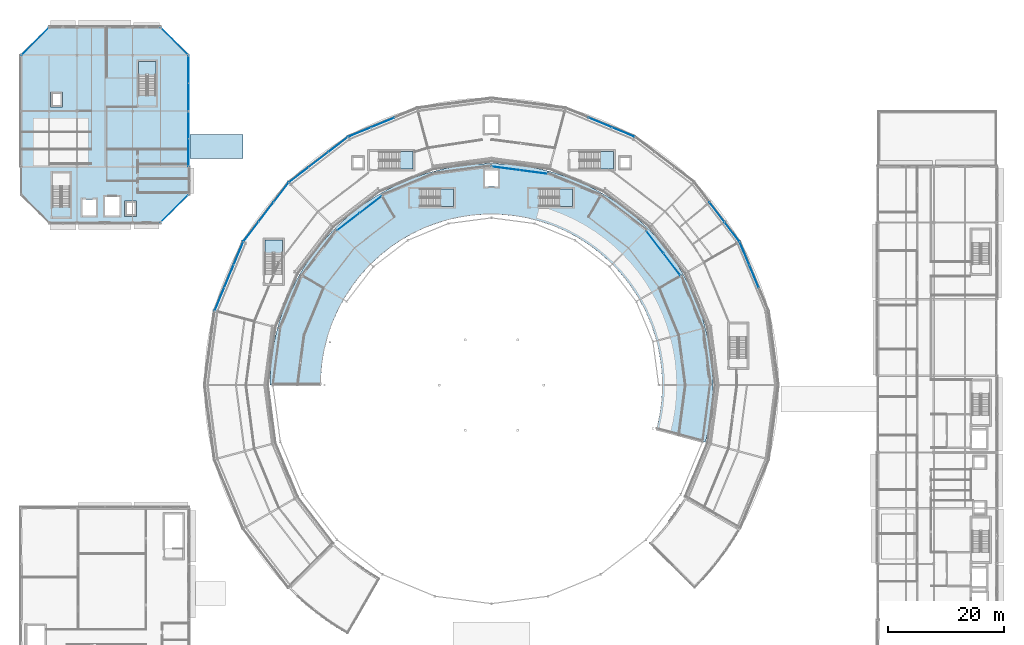
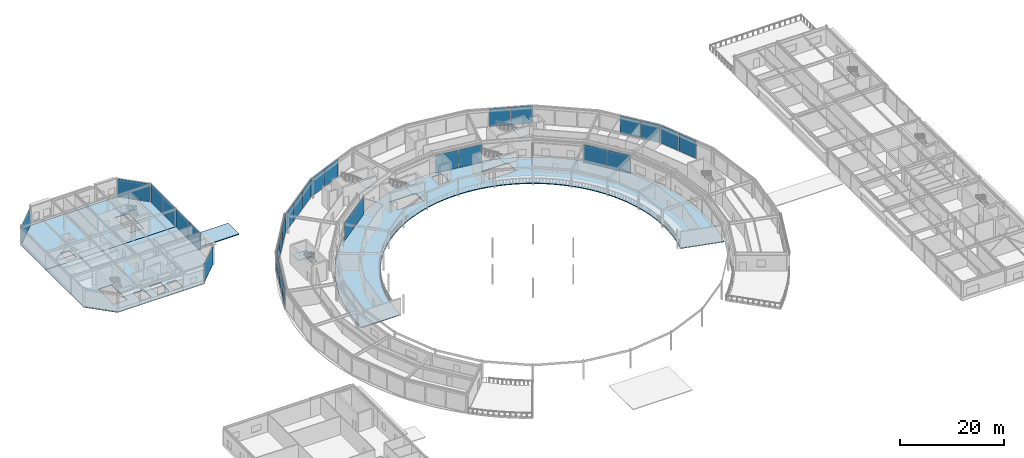
# One storey, part 96 of 133: 30 plates, 10 slabs, 21 elements without a shape of their own.
"""IFC4 building model written with IfcOpenShell, lengths in metres."""

from ifc_helpers import new_model, si_unit, direction, frame, origin, origin_2d, place, context, subcontext, project, spatial, polyline, rectangle, outline, extrude, material, layer, layer_set, type_object, element, aggregate, save


model = new_model("IFC4")

# Units and contexts
model_context = context("Model", 3, precision=1e-05, world=origin(), true_north=direction((0.0, 1.0)))
body_context = subcontext(model_context, "Body", "Model", "MODEL_VIEW")
ifc_project = project(units=[si_unit("LENGTHUNIT", "METRE"), si_unit("AREAUNIT", "SQUARE_METRE"), si_unit("VOLUMEUNIT", "CUBIC_METRE"), si_unit("PLANEANGLEUNIT", "RADIAN"), si_unit("MASSUNIT", "GRAM", prefix="KILO")], contexts=[model_context])

# Site, building, storey
site_placement = place(None, origin())
site = spatial("IfcSite", under=ifc_project, at=site_placement, CompositionType="ELEMENT")
building_placement = place(site_placement, origin())
building = spatial("IfcBuilding", under=site, at=building_placement, Name="Almandine Court Research Institute", CompositionType="ELEMENT")
storey_placement = place(building_placement, frame((0.0, 0.0, 9.800048828125)))
storey = spatial("IfcBuildingStorey", under=building, at=storey_placement, Name="L02", CompositionType="ELEMENT", Elevation=9.800048828125)

# Curtain wall, plate
ifc_material_1 = material(Name="Unitised Curtain Wall Framing and Solar Glazing", Category="glass")
curtain_wall_type_1 = type_object("IfcCurtainWallType", Name="CW-CWG-05", PredefinedType="USERDEFINED", material=ifc_material_1)
curtain_wall_1_placement = place(storey_placement, origin())
curtain_wall_1 = element("IfcCurtainWall", 1, at=curtain_wall_1_placement, inside=storey, type_object=curtain_wall_type_1, Name="L02 Cleanroom NW Chamfer Glazing", ObjectType="UNITISED GLAZING", PredefinedType="USERDEFINED")
ifc_material_2 = material(Name="Double-Glazed Low-E Argon Insulated Glass", Category="glass")
ifc_layer_1 = layer(ifc_material_2, 0.028076171875)
ifc_layer_set_1 = layer_set([ifc_layer_1], Name="Double-Glazed Low-E Argon Insulated Glass")
plate_type_1 = type_object("IfcPlateType", Name="CWPnl-GLZ-28", PredefinedType="CURTAIN_PANEL", material=ifc_layer_set_1)
plate_1_placement = place(storey_placement, frame((8.39990234375, 115.199951171875, 0.06005859375), z_axis=(0.0, 0.0, 1.0), x_axis=(0.707106781187, 0.707106781187, 0.0)))
plate_1 = element("IfcPlate", 2, at=plate_1_placement, type_object=plate_type_1, Name="CWG-05 panel 1.1", PredefinedType="CURTAIN_PANEL", context=body_context, shape_type="SweptSolid", body=[
    extrude(rectangle(XDim=6.656982421875, YDim=0.028076171875, at=origin_2d()), origin(), (0.0, 0.0, 1.0), 4.25),
])
aggregate(curtain_wall_1, [plate_1])

curtain_wall_2_placement = place(storey_placement, origin())
curtain_wall_2 = element("IfcCurtainWall", 3, at=curtain_wall_2_placement, inside=storey, type_object=curtain_wall_type_1, Name="L02 Cleanroom NE Chamfer Glazing", ObjectType="UNITISED GLAZING", PredefinedType="USERDEFINED")
plate_2_placement = place(storey_placement, frame((32.39990234375, 115.199951171875, 0.06005859375), z_axis=(0.0, 0.0, 1.0), x_axis=(0.707106781187, -0.707106781187, 0.0)))
plate_2 = element("IfcPlate", 4, at=plate_2_placement, type_object=plate_type_1, Name="CWG-05 panel 1.1", PredefinedType="CURTAIN_PANEL", context=body_context, shape_type="SweptSolid", body=[
    extrude(rectangle(XDim=6.656982421875, YDim=0.028076171875, at=origin_2d()), origin(), (0.0, 0.0, 1.0), 4.25),
])
aggregate(curtain_wall_2, [plate_2])

curtain_wall_3_placement = place(storey_placement, origin())
curtain_wall_3 = element("IfcCurtainWall", 5, at=curtain_wall_3_placement, inside=storey, type_object=curtain_wall_type_1, Name="L02 Cleanroom SE Chamfer Glazing", ObjectType="UNITISED GLAZING", PredefinedType="USERDEFINED")
plate_3_placement = place(storey_placement, frame((32.39990234375, 86.39990234375, 0.06005859375), z_axis=(0.0, 0.0, 1.0), x_axis=(-0.707106781187, -0.707106781187, 0.0)))
plate_3 = element("IfcPlate", 6, at=plate_3_placement, type_object=plate_type_1, Name="CWG-05 panel 1.1", PredefinedType="CURTAIN_PANEL", context=body_context, shape_type="SweptSolid", body=[
    extrude(rectangle(XDim=6.656982421875, YDim=0.028076171875, at=origin_2d()), origin(), (0.0, 0.0, 1.0), 4.25),
])
aggregate(curtain_wall_3, [plate_3])

# Curtain wall, plates
curtain_wall_type_2 = type_object("IfcCurtainWallType", Name="CW-CWG-20", PredefinedType="USERDEFINED", material=ifc_material_1)
curtain_wall_4_placement = place(storey_placement, origin())
curtain_wall_4 = element("IfcCurtainWall", 7, at=curtain_wall_4_placement, inside=storey, type_object=curtain_wall_type_2, Name="L02 Stacked-Ring Drum Outer Unitised Glazing 04", ObjectType="UNITISED GLAZING", PredefinedType="USERDEFINED")
plate_4_placement = place(storey_placement, frame((105.72802734375, 101.212890625, 0.06005859375), z_axis=(0.0, 0.0, 1.0), x_axis=(0.923888124321, -0.382662689242, 0.0)))
plate_4 = element("IfcPlate", 8, at=plate_4_placement, type_object=plate_type_1, Name="CWG-20 panel 2.1", PredefinedType="CURTAIN_PANEL", context=body_context, shape_type="SweptSolid", body=[
    extrude(rectangle(XDim=4.232666015625, YDim=0.028076171875, at=origin_2d()), origin(), (0.0, 0.0, 1.0), 4.25),
])
plate_5_placement = place(storey_placement, frame((109.68017578125, 99.576171875, 0.06005859375), z_axis=(0.0, 0.0, 1.0), x_axis=(0.923888124321, -0.382662689242, 0.0)))
plate_5 = element("IfcPlate", 9, at=plate_5_placement, type_object=plate_type_1, Name="CWG-20 panel 3.1", PredefinedType="CURTAIN_PANEL", context=body_context, shape_type="SweptSolid", body=[
    extrude(rectangle(XDim=4.20263671875, YDim=0.028076171875, at=origin_2d()), origin(), (0.0, 0.0, 1.0), 4.25),
])
aggregate(curtain_wall_4, [plate_4, plate_5])

curtain_wall_5_placement = place(storey_placement, origin())
curtain_wall_5 = element("IfcCurtainWall", 10, at=curtain_wall_5_placement, inside=storey, type_object=curtain_wall_type_2, Name="L02 Stacked-Ring Drum Outer Unitised Glazing 07", ObjectType="UNITISED GLAZING", PredefinedType="USERDEFINED")
plate_6_placement = place(storey_placement, frame((64.31982421875, 99.576171875, 0.06005859375), z_axis=(0.0, 0.0, 1.0), x_axis=(0.923888124321, 0.382662689242, 0.0)))
plate_6 = element("IfcPlate", 11, at=plate_6_placement, type_object=plate_type_1, Name="CWG-20 panel 1.1", PredefinedType="CURTAIN_PANEL", context=body_context, shape_type="SweptSolid", body=[
    extrude(rectangle(XDim=4.20263671875, YDim=0.028076171875, at=origin_2d()), origin(), (0.0, 0.0, 1.0), 4.25),
])
plate_7_placement = place(storey_placement, frame((68.27197265625, 101.212890625, 0.06005859375), z_axis=(0.0, 0.0, 1.0), x_axis=(0.923888124321, 0.382662689242, 0.0)))
plate_7 = element("IfcPlate", 12, at=plate_7_placement, type_object=plate_type_1, Name="CWG-20 panel 2.1", PredefinedType="CURTAIN_PANEL", context=body_context, shape_type="SweptSolid", body=[
    extrude(rectangle(XDim=4.232666015625, YDim=0.028076171875, at=origin_2d()), origin(), (0.0, 0.0, 1.0), 4.25),
])
aggregate(curtain_wall_5, [plate_6, plate_7])

curtain_wall_type_3 = type_object("IfcCurtainWallType", Name="CW-CWG-24", PredefinedType="USERDEFINED", material=ifc_material_1)
curtain_wall_6_placement = place(storey_placement, origin())
curtain_wall_6 = element("IfcCurtainWall", 13, at=curtain_wall_6_placement, inside=storey, type_object=curtain_wall_type_3, Name="L02 Interaction Atrium Perimeter Curtain Wall 02", ObjectType="UNITISED GLAZING", PredefinedType="USERDEFINED")
plate_8_placement = place(storey_placement, frame((115.12890625, 80.66015625, 0.06005859375), z_axis=(0.0, 0.0, 1.0), x_axis=(0.608760667029, -0.793353924979, 0.0)))
plate_8 = element("IfcPlate", 14, at=plate_8_placement, type_object=plate_type_1, Name="CWG-24 panel 1.1", PredefinedType="CURTAIN_PANEL", context=body_context, shape_type="SweptSolid", body=[
    extrude(rectangle(XDim=4.82080078125, YDim=0.028076171875, at=origin_2d()), origin(), (0.0, 0.0, 1.0), 4.25),
])
plate_9_placement = place(storey_placement, frame((118.10009765625, 76.787841796875, 0.06005859375), z_axis=(0.0, 0.0, 1.0), x_axis=(0.608760667029, -0.793353924979, 0.0)))
plate_9 = element("IfcPlate", 15, at=plate_9_placement, type_object=plate_type_1, Name="CWG-24 panel 2.1", PredefinedType="CURTAIN_PANEL", context=body_context, shape_type="SweptSolid", body=[
    extrude(rectangle(XDim=4.82080078125, YDim=0.028076171875, at=origin_2d()), origin(), (0.0, 0.0, 1.0), 4.25),
])
aggregate(curtain_wall_6, [plate_8, plate_9])

curtain_wall_7_placement = place(storey_placement, origin())
curtain_wall_7 = element("IfcCurtainWall", 16, at=curtain_wall_7_placement, inside=storey, type_object=curtain_wall_type_3, Name="L02 Interaction Atrium Perimeter Curtain Wall 05", ObjectType="UNITISED GLAZING", PredefinedType="USERDEFINED")
plate_10_placement = place(storey_placement, frame((89.453125, 93.32763671875, 0.06005859375), z_axis=(0.0, 0.0, 1.0), x_axis=(0.991443548509, -0.130536164028, 0.0)))
plate_10 = element("IfcPlate", 17, at=plate_10_placement, type_object=plate_type_1, Name="CWG-24 panel 1.1", PredefinedType="CURTAIN_PANEL", context=body_context, shape_type="SweptSolid", body=[
    extrude(rectangle(XDim=4.820556640625, YDim=0.028076171875, at=origin_2d()), origin(), (0.0, 0.0, 1.0), 4.25),
])
plate_11_placement = place(storey_placement, frame((94.2919921875, 92.6904296875, 0.06005859375), z_axis=(0.0, 0.0, 1.0), x_axis=(0.991443548509, -0.130536164028, 0.0)))
plate_11 = element("IfcPlate", 18, at=plate_11_placement, type_object=plate_type_1, Name="CWG-24 panel 2.1", PredefinedType="CURTAIN_PANEL", context=body_context, shape_type="SweptSolid", body=[
    extrude(rectangle(XDim=4.820556640625, YDim=0.028076171875, at=origin_2d()), origin(), (0.0, 0.0, 1.0), 4.25),
])
aggregate(curtain_wall_7, [plate_10, plate_11])

curtain_wall_8_placement = place(storey_placement, origin())
curtain_wall_8 = element("IfcCurtainWall", 19, at=curtain_wall_8_placement, inside=storey, type_object=curtain_wall_type_3, Name="L02 Interaction Atrium Perimeter Curtain Wall 08", ObjectType="UNITISED GLAZING", PredefinedType="USERDEFINED")
plate_12_placement = place(storey_placement, frame((62.33984375, 84.12890625, 0.06005859375), z_axis=(0.0, 0.0, 1.0), x_axis=(0.793353924979, 0.608760667029, 0.0)))
plate_12 = element("IfcPlate", 20, at=plate_12_placement, type_object=plate_type_1, Name="CWG-24 panel 1.1", PredefinedType="CURTAIN_PANEL", context=body_context, shape_type="SweptSolid", body=[
    extrude(rectangle(XDim=4.82080078125, YDim=0.028076171875, at=origin_2d()), origin(), (0.0, 0.0, 1.0), 4.25),
])
plate_13_placement = place(storey_placement, frame((66.212158203125, 87.10009765625, 0.06005859375), z_axis=(0.0, 0.0, 1.0), x_axis=(0.793353924979, 0.608760667029, 0.0)))
plate_13 = element("IfcPlate", 21, at=plate_13_placement, type_object=plate_type_1, Name="CWG-24 panel 2.1", PredefinedType="CURTAIN_PANEL", context=body_context, shape_type="SweptSolid", body=[
    extrude(rectangle(XDim=4.82080078125, YDim=0.028076171875, at=origin_2d()), origin(), (0.0, 0.0, 1.0), 4.25),
])
aggregate(curtain_wall_8, [plate_12, plate_13])

curtain_wall_type_4 = type_object("IfcCurtainWallType", Name="CW-CWJ-02", PredefinedType="USERDEFINED", material=ifc_material_1)
curtain_wall_9_placement = place(storey_placement, origin())
curtain_wall_9 = element("IfcCurtainWall", 22, at=curtain_wall_9_placement, inside=storey, type_object=curtain_wall_type_4, Name="L02 Cleanroom East Courtyard Jali Screen 2", ObjectType="SOLAR JALI SCREEN", PredefinedType="USERDEFINED")
ifc_material_3 = material(Name="Perforated Ochre Terracotta Jali Solar Cassette", Category="masonry")
ifc_layer_2 = layer(ifc_material_3, 0.035888671875)
ifc_layer_set_2 = layer_set([ifc_layer_2], Name="Perforated Ochre Terracotta Jali Solar Cassette")
plate_type_2 = type_object("IfcPlateType", Name="CWPnl-JALI-36", PredefinedType="CURTAIN_PANEL", material=ifc_layer_set_2)
plate_14_placement = place(storey_placement, frame((34.800048828125, 100.78173828125, 0.06494140625), z_axis=(0.0, 0.0, 1.0), x_axis=(0.0, -1.0, 0.0)))
plate_14 = element("IfcPlate", 23, at=plate_14_placement, type_object=plate_type_2, Name="CWJ-02 panel 1.1", PredefinedType="CURTAIN_PANEL", context=body_context, shape_type="SweptSolid", body=[
    extrude(rectangle(XDim=4.698486328125, YDim=0.035888671875, at=origin_2d()), origin(), (0.0, 0.0, 1.0), 4.239990234375),
])
plate_15_placement = place(storey_placement, frame((34.800048828125, 96.018310546875, 0.06494140625), z_axis=(0.0, 0.0, 1.0), x_axis=(0.0, -1.0, 0.0)))
plate_15 = element("IfcPlate", 24, at=plate_15_placement, type_object=plate_type_2, Name="CWJ-02 panel 2.1", PredefinedType="CURTAIN_PANEL", context=body_context, shape_type="SweptSolid", body=[
    extrude(rectangle(XDim=4.698486328125, YDim=0.035888671875, at=origin_2d()), origin(), (0.0, 0.0, 1.0), 4.239990234375),
])
aggregate(curtain_wall_9, [plate_14, plate_15])

curtain_wall_10_placement = place(storey_placement, origin())
curtain_wall_10 = element("IfcCurtainWall", 25, at=curtain_wall_10_placement, inside=storey, type_object=curtain_wall_type_4, Name="L02 Cleanroom East Courtyard Jali Screen 3", ObjectType="SOLAR JALI SCREEN", PredefinedType="USERDEFINED")
plate_16_placement = place(storey_placement, frame((34.800048828125, 110.3818359375, 0.06494140625), z_axis=(0.0, 0.0, 1.0), x_axis=(0.0, -1.0, 0.0)))
plate_16 = element("IfcPlate", 26, at=plate_16_placement, type_object=plate_type_2, Name="CWJ-02 panel 1.1", PredefinedType="CURTAIN_PANEL", context=body_context, shape_type="SweptSolid", body=[
    extrude(rectangle(XDim=4.698486328125, YDim=0.035888671875, at=origin_2d()), origin(), (0.0, 0.0, 1.0), 4.239990234375),
])
plate_17_placement = place(storey_placement, frame((34.800048828125, 105.6181640625, 0.06494140625), z_axis=(0.0, 0.0, 1.0), x_axis=(0.0, -1.0, 0.0)))
plate_17 = element("IfcPlate", 27, at=plate_17_placement, type_object=plate_type_2, Name="CWJ-02 panel 2.1", PredefinedType="CURTAIN_PANEL", context=body_context, shape_type="SweptSolid", body=[
    extrude(rectangle(XDim=4.698486328125, YDim=0.035888671875, at=origin_2d()), origin(), (0.0, 0.0, 1.0), 4.239990234375),
])
aggregate(curtain_wall_10, [plate_16, plate_17])

curtain_wall_type_5 = type_object("IfcCurtainWallType", Name="CW-CWJ-19", PredefinedType="USERDEFINED", material=ifc_material_1)
curtain_wall_11_placement = place(storey_placement, origin())
curtain_wall_11 = element("IfcCurtainWall", 28, at=curtain_wall_11_placement, inside=storey, type_object=curtain_wall_type_5, Name="L02 Stacked-Ring Drum Outer Solar Jali Screen 01", ObjectType="SOLAR JALI SCREEN", PredefinedType="USERDEFINED")
plate_18_placement = place(storey_placement, frame((130.57666015625, 78.678955078125, 0.06494140625), z_axis=(0.0, 0.0, 1.0), x_axis=(0.382662689242, -0.923888124321, 0.0)))
plate_18 = element("IfcPlate", 29, at=plate_18_placement, type_object=plate_type_2, Name="CWJ-19 panel 1.1", PredefinedType="CURTAIN_PANEL", context=body_context, shape_type="SweptSolid", body=[
    extrude(rectangle(XDim=4.1953125, YDim=0.035888671875, at=origin_2d()), origin(), (0.0, 0.0, 1.0), 4.239990234375),
])
plate_19_placement = place(storey_placement, frame((132.212890625, 74.72802734375, 0.06494140625), z_axis=(0.0, 0.0, 1.0), x_axis=(0.382662689242, -0.923888124321, 0.0)))
plate_19 = element("IfcPlate", 30, at=plate_19_placement, type_object=plate_type_2, Name="CWJ-19 panel 2.1", PredefinedType="CURTAIN_PANEL", context=body_context, shape_type="SweptSolid", body=[
    extrude(rectangle(XDim=4.227783203125, YDim=0.035888671875, at=origin_2d()), origin(), (0.0, 0.0, 1.0), 4.239990234375),
])
aggregate(curtain_wall_11, [plate_18, plate_19])

curtain_wall_12_placement = place(storey_placement, origin())
curtain_wall_12 = element("IfcCurtainWall", 31, at=curtain_wall_12_placement, inside=storey, type_object=curtain_wall_type_5, Name="L02 Stacked-Ring Drum Outer Solar Jali Screen 02", ObjectType="SOLAR JALI SCREEN", PredefinedType="USERDEFINED")
plate_20_placement = place(storey_placement, frame((125.825439453125, 85.79150390625, 0.06494140625), z_axis=(0.0, 0.0, 1.0), x_axis=(0.608723313303, -0.793382586046, 0.0)))
plate_20 = element("IfcPlate", 32, at=plate_20_placement, type_object=plate_type_2, Name="CWJ-19 panel 2.1", PredefinedType="CURTAIN_PANEL", context=body_context, shape_type="SweptSolid", body=[
    extrude(rectangle(XDim=4.2275390625, YDim=0.035888671875, at=origin_2d()), origin(), (0.0, 0.0, 1.0), 4.239990234375),
])
plate_21_placement = place(storey_placement, frame((128.4287109375, 82.398681640625, 0.06494140625), z_axis=(0.0, 0.0, 1.0), x_axis=(0.608723313303, -0.793382586046, 0.0)))
plate_21 = element("IfcPlate", 33, at=plate_21_placement, type_object=plate_type_2, Name="CWJ-19 panel 3.1", PredefinedType="CURTAIN_PANEL", context=body_context, shape_type="SweptSolid", body=[
    extrude(rectangle(XDim=4.195068359375, YDim=0.035888671875, at=origin_2d()), origin(), (0.0, 0.0, 1.0), 4.239990234375),
])
aggregate(curtain_wall_12, [plate_20, plate_21])

curtain_wall_13_placement = place(storey_placement, origin())
curtain_wall_13 = element("IfcCurtainWall", 34, at=curtain_wall_13_placement, inside=storey, type_object=curtain_wall_type_5, Name="L02 Stacked-Ring Drum Outer Solar Jali Screen 08", ObjectType="SOLAR JALI SCREEN", PredefinedType="USERDEFINED")
plate_22_placement = place(storey_placement, frame((53.815673828125, 92.222412109375, 0.06494140625), z_axis=(0.0, 0.0, 1.0), x_axis=(0.793382586046, 0.608723313303, 0.0)))
plate_22 = element("IfcPlate", 35, at=plate_22_placement, type_object=plate_type_2, Name="CWJ-19 panel 1.1", PredefinedType="CURTAIN_PANEL", context=body_context, shape_type="SweptSolid", body=[
    extrude(rectangle(XDim=4.195068359375, YDim=0.035888671875, at=origin_2d()), origin(), (0.0, 0.0, 1.0), 4.239990234375),
])
plate_23_placement = place(storey_placement, frame((57.20849609375, 94.825439453125, 0.06494140625), z_axis=(0.0, 0.0, 1.0), x_axis=(0.793382586046, 0.608723313303, 0.0)))
plate_23 = element("IfcPlate", 36, at=plate_23_placement, type_object=plate_type_2, Name="CWJ-19 panel 2.1", PredefinedType="CURTAIN_PANEL", context=body_context, shape_type="SweptSolid", body=[
    extrude(rectangle(XDim=4.2275390625, YDim=0.035888671875, at=origin_2d()), origin(), (0.0, 0.0, 1.0), 4.239990234375),
])
plate_24_placement = place(storey_placement, frame((60.601318359375, 97.4287109375, 0.06494140625), z_axis=(0.0, 0.0, 1.0), x_axis=(0.793382586046, 0.608723313303, 0.0)))
plate_24 = element("IfcPlate", 37, at=plate_24_placement, type_object=plate_type_2, Name="CWJ-19 panel 3.1", PredefinedType="CURTAIN_PANEL", context=body_context, shape_type="SweptSolid", body=[
    extrude(rectangle(XDim=4.195068359375, YDim=0.035888671875, at=origin_2d()), origin(), (0.0, 0.0, 1.0), 4.239990234375),
])
aggregate(curtain_wall_13, [plate_22, plate_23, plate_24])

curtain_wall_14_placement = place(storey_placement, origin())
curtain_wall_14 = element("IfcCurtainWall", 38, at=curtain_wall_14_placement, inside=storey, type_object=curtain_wall_type_5, Name="L02 Stacked-Ring Drum Outer Solar Jali Screen 09", ObjectType="SOLAR JALI SCREEN", PredefinedType="USERDEFINED")
plate_25_placement = place(storey_placement, frame((45.5712890625, 82.398681640625, 0.06494140625), z_axis=(0.0, 0.0, 1.0), x_axis=(0.608723313303, 0.793382586046, 0.0)))
plate_25 = element("IfcPlate", 39, at=plate_25_placement, type_object=plate_type_2, Name="CWJ-19 panel 1.1", PredefinedType="CURTAIN_PANEL", context=body_context, shape_type="SweptSolid", body=[
    extrude(rectangle(XDim=4.195068359375, YDim=0.035888671875, at=origin_2d()), origin(), (0.0, 0.0, 1.0), 4.239990234375),
])
plate_26_placement = place(storey_placement, frame((48.174560546875, 85.79150390625, 0.06494140625), z_axis=(0.0, 0.0, 1.0), x_axis=(0.608723313303, 0.793382586046, 0.0)))
plate_26 = element("IfcPlate", 40, at=plate_26_placement, type_object=plate_type_2, Name="CWJ-19 panel 2.1", PredefinedType="CURTAIN_PANEL", context=body_context, shape_type="SweptSolid", body=[
    extrude(rectangle(XDim=4.2275390625, YDim=0.035888671875, at=origin_2d()), origin(), (0.0, 0.0, 1.0), 4.239990234375),
])
plate_27_placement = place(storey_placement, frame((50.777587890625, 89.184326171875, 0.06494140625), z_axis=(0.0, 0.0, 1.0), x_axis=(0.608723313303, 0.793382586046, 0.0)))
plate_27 = element("IfcPlate", 41, at=plate_27_placement, type_object=plate_type_2, Name="CWJ-19 panel 3.1", PredefinedType="CURTAIN_PANEL", context=body_context, shape_type="SweptSolid", body=[
    extrude(rectangle(XDim=4.195068359375, YDim=0.035888671875, at=origin_2d()), origin(), (0.0, 0.0, 1.0), 4.239990234375),
])
aggregate(curtain_wall_14, [plate_25, plate_26, plate_27])

curtain_wall_15_placement = place(storey_placement, origin())
curtain_wall_15 = element("IfcCurtainWall", 42, at=curtain_wall_15_placement, inside=storey, type_object=curtain_wall_type_5, Name="L02 Stacked-Ring Drum Outer Solar Jali Screen 10", ObjectType="SOLAR JALI SCREEN", PredefinedType="USERDEFINED")
plate_28_placement = place(storey_placement, frame((40.150634765625, 70.777099609375, 0.06494140625), z_axis=(0.0, 0.0, 1.0), x_axis=(0.382662689242, 0.923888124321, 0.0)))
plate_28 = element("IfcPlate", 43, at=plate_28_placement, type_object=plate_type_2, Name="CWJ-19 panel 1.1", PredefinedType="CURTAIN_PANEL", context=body_context, shape_type="SweptSolid", body=[
    extrude(rectangle(XDim=4.1953125, YDim=0.035888671875, at=origin_2d()), origin(), (0.0, 0.0, 1.0), 4.239990234375),
])
plate_29_placement = place(storey_placement, frame((41.787109375, 74.72802734375, 0.06494140625), z_axis=(0.0, 0.0, 1.0), x_axis=(0.382662689242, 0.923888124321, 0.0)))
plate_29 = element("IfcPlate", 44, at=plate_29_placement, type_object=plate_type_2, Name="CWJ-19 panel 2.1", PredefinedType="CURTAIN_PANEL", context=body_context, shape_type="SweptSolid", body=[
    extrude(rectangle(XDim=4.227783203125, YDim=0.035888671875, at=origin_2d()), origin(), (0.0, 0.0, 1.0), 4.239990234375),
])
plate_30_placement = place(storey_placement, frame((43.42333984375, 78.678955078125, 0.06494140625), z_axis=(0.0, 0.0, 1.0), x_axis=(0.382662689242, 0.923888124321, 0.0)))
plate_30 = element("IfcPlate", 45, at=plate_30_placement, type_object=plate_type_2, Name="CWJ-19 panel 3.1", PredefinedType="CURTAIN_PANEL", context=body_context, shape_type="SweptSolid", body=[
    extrude(rectangle(XDim=4.1953125, YDim=0.035888671875, at=origin_2d()), origin(), (0.0, 0.0, 1.0), 4.239990234375),
])
aggregate(curtain_wall_15, [plate_28, plate_29, plate_30])

# Slabs
ifc_material_4 = material(Name="Concrete C35/45", Category="concrete")
ifc_layer_3 = layer(ifc_material_4, 0.179931640625)
ifc_layer_set_3 = layer_set([ifc_layer_3], Name="Concrete C35/45")
slab_type_1 = type_object("IfcSlabType", Name="Slab-FLR-180", PredefinedType="FLOOR", material=ifc_layer_set_3)
slab_1_placement = place(storey_placement, frame((0.0, 0.0, -0.179931640625)))
element("IfcSlab", 46, at=slab_1_placement, inside=storey, type_object=slab_type_1, Name="L02 Volume 3 Cleanroom Pavilion Floor Slab -S", PredefinedType="FLOOR", context=body_context, shape_type="SweptSolid", body=[
    extrude(outline(polyline([(10.800048828125, 84.0), (30.0, 84.0), (34.800048828125, 88.800048828125), (34.800048828125, 103.199951171875), (6.0, 103.199951171875), (6.0, 88.800048828125), (10.800048828125, 84.0)]), holes=[polyline([(14.39990234375, 86.64990234375), (14.39990234375, 92.5), (11.39990234375, 92.5), (11.39990234375, 86.64990234375), (14.39990234375, 86.64990234375)]), polyline([(16.60009765625, 85.199951171875), (18.89990234375, 85.199951171875), (18.89990234375, 88.0), (16.60009765625, 88.0), (16.60009765625, 85.199951171875)]), polyline([(20.39990234375, 85.199951171875), (22.89990234375, 85.199951171875), (22.89990234375, 88.39990234375), (20.39990234375, 88.39990234375), (20.39990234375, 85.199951171875)]), polyline([(23.830078125, 85.080078125), (25.8701171875, 85.080078125), (25.8701171875, 87.719970703125), (23.830078125, 87.719970703125), (23.830078125, 85.080078125)])]), origin(), (0.0, 0.0, 1.0), 0.179931640625),
])
slab_2_placement = place(storey_placement, frame((0.0, 0.0, -0.179931640625)))
element("IfcSlab", 47, at=slab_2_placement, inside=storey, type_object=slab_type_1, Name="L02 Volume 3 Cleanroom Pavilion Floor Slab -N", PredefinedType="FLOOR", context=body_context, shape_type="SweptSolid", body=[
    extrude(outline(polyline([(6.0, 103.199951171875), (34.800048828125, 103.199951171875), (34.800048828125, 112.800048828125), (30.0, 117.60009765625), (10.800048828125, 117.60009765625), (6.0, 112.800048828125), (6.0, 103.199951171875)]), holes=[polyline([(29.199951171875, 105.85009765625), (29.199951171875, 111.699951171875), (26.199951171875, 111.699951171875), (26.199951171875, 105.85009765625), (29.199951171875, 105.85009765625)]), polyline([(11.080078125, 103.8798828125), (13.1201171875, 103.8798828125), (13.1201171875, 106.52001953125), (11.080078125, 106.52001953125), (11.080078125, 103.8798828125)])]), origin(), (0.0, 0.0, 1.0), 0.179931640625),
])
slab_3_placement = place(storey_placement, frame((0.0, 0.0, -0.179931640625)))
element("IfcSlab", 48, at=slab_3_placement, inside=storey, type_object=slab_type_1, Name="L02 Interaction Atrium Terraced Collaboration Gallery Slab", PredefinedType="FLOOR", context=body_context, shape_type="SweptSolid", body=[
    extrude(outline(polyline([(123.85009765625, 46.1259765625), (124.24609375, 47.742919921875), (124.570068359375, 49.375), (124.823974609375, 51.02001953125), (125.0048828125, 52.675048828125), (125.114013671875, 54.3359375), (125.14990234375, 56.0), (125.114013671875, 57.6640625), (125.0048828125, 59.324951171875), (124.823974609375, 60.97998046875), (124.570068359375, 62.625), (124.24609375, 64.257080078125), (123.85009765625, 65.8740234375), (123.384033203125, 67.471923828125), (122.84912109375, 69.048095703125), (122.24609375, 70.59912109375), (121.575927734375, 72.123046875), (120.839111328125, 73.615966796875), (120.0390625, 75.074951171875), (119.175048828125, 76.498046875), (118.2509765625, 77.882080078125), (117.26611328125, 79.22412109375), (116.22509765625, 80.52197265625), (115.126953125, 81.77392578125), (113.97607421875, 82.97607421875), (112.77392578125, 84.126953125), (111.52197265625, 85.22509765625), (110.22412109375, 86.26611328125), (108.882080078125, 87.2509765625), (107.498046875, 88.175048828125), (106.074951171875, 89.0390625), (104.615966796875, 89.839111328125), (103.123046875, 90.575927734375), (101.59912109375, 91.24609375), (100.048095703125, 91.84912109375), (98.471923828125, 92.384033203125), (96.8740234375, 92.85009765625), (95.257080078125, 93.24609375), (93.625, 93.570068359375), (91.97998046875, 93.823974609375), (90.324951171875, 94.0048828125), (88.6640625, 94.114013671875), (87.0, 94.14990234375), (85.3359375, 94.114013671875), (83.675048828125, 94.0048828125), (82.02001953125, 93.823974609375), (80.375, 93.570068359375), (78.742919921875, 93.24609375), (77.1259765625, 92.85009765625), (75.528076171875, 92.384033203125), (73.951904296875, 91.84912109375), (72.40087890625, 91.24609375), (70.876953125, 90.575927734375), (69.384033203125, 89.839111328125), (67.925048828125, 89.0390625), (66.501953125, 88.175048828125), (65.117919921875, 87.2509765625), (63.77587890625, 86.26611328125), (62.47802734375, 85.22509765625), (61.22607421875, 84.126953125), (60.02392578125, 82.97607421875), (58.873046875, 81.77392578125), (57.77490234375, 80.52197265625), (56.73388671875, 79.22412109375), (55.7490234375, 77.882080078125), (54.824951171875, 76.498046875), (53.9609375, 75.074951171875), (53.160888671875, 73.615966796875), (52.424072265625, 72.123046875), (51.75390625, 70.59912109375), (51.15087890625, 69.048095703125), (50.615966796875, 67.471923828125), (50.14990234375, 65.8740234375), (49.75390625, 64.257080078125), (49.429931640625, 62.625), (49.176025390625, 60.97998046875), (48.9951171875, 59.324951171875), (48.885986328125, 57.6640625), (48.85009765625, 56.0), (57.60009765625, 56.0), (57.6279296875, 57.281982421875), (57.7119140625, 58.56201171875), (57.85205078125, 59.8369140625), (58.047119140625, 61.10498046875), (58.297119140625, 62.363037109375), (58.60205078125, 63.60888671875), (58.9609375, 64.841064453125), (59.373046875, 66.054931640625), (59.837890625, 67.2509765625), (60.35498046875, 68.425048828125), (60.922119140625, 69.574951171875), (61.5390625, 70.699951171875), (62.2041015625, 71.797119140625), (62.9169921875, 72.863037109375), (63.675048828125, 73.89794921875), (64.47802734375, 74.89794921875), (65.323974609375, 75.862060546875), (66.2109375, 76.7890625), (67.137939453125, 77.676025390625), (68.10205078125, 78.52197265625), (69.10205078125, 79.324951171875), (70.136962890625, 80.0830078125), (71.202880859375, 80.7958984375), (72.300048828125, 81.4609375), (73.425048828125, 82.077880859375), (74.574951171875, 82.64501953125), (75.7490234375, 83.162109375), (76.945068359375, 83.626953125), (78.158935546875, 84.0390625), (79.39111328125, 84.39794921875), (80.636962890625, 84.702880859375), (81.89501953125, 84.952880859375), (83.1630859375, 85.14794921875), (84.43798828125, 85.2880859375), (85.718017578125, 85.3720703125), (87.0, 85.39990234375), (88.281982421875, 85.3720703125), (89.56201171875, 85.2880859375), (90.8369140625, 85.14794921875), (92.10498046875, 84.952880859375), (93.363037109375, 84.702880859375), (94.60888671875, 84.39794921875), (95.841064453125, 84.0390625), (97.054931640625, 83.626953125), (98.2509765625, 83.162109375), (99.425048828125, 82.64501953125), (100.574951171875, 82.077880859375), (101.699951171875, 81.4609375), (102.797119140625, 80.7958984375), (103.863037109375, 80.0830078125), (104.89794921875, 79.324951171875), (105.89794921875, 78.52197265625), (106.862060546875, 77.676025390625), (107.7890625, 76.7890625), (108.676025390625, 75.862060546875), (109.52197265625, 74.89794921875), (110.324951171875, 73.89794921875), (111.0830078125, 72.863037109375), (111.7958984375, 71.797119140625), (112.4609375, 70.699951171875), (113.077880859375, 69.574951171875), (113.64501953125, 68.425048828125), (114.162109375, 67.2509765625), (114.626953125, 66.054931640625), (115.0390625, 64.841064453125), (115.39794921875, 63.60888671875), (115.702880859375, 62.363037109375), (115.952880859375, 61.10498046875), (116.14794921875, 59.8369140625), (116.2880859375, 58.56201171875), (116.3720703125, 57.281982421875), (116.39990234375, 56.0), (116.3720703125, 54.718017578125), (116.2880859375, 53.43798828125), (116.14794921875, 52.1630859375), (115.952880859375, 50.89501953125), (115.702880859375, 49.636962890625), (115.39794921875, 48.39111328125), (123.85009765625, 46.1259765625)]), holes=[polyline([(95.14990234375, 86.800048828125), (101.0, 86.800048828125), (101.0, 89.800048828125), (95.14990234375, 89.800048828125), (95.14990234375, 86.800048828125)]), polyline([(74.64990234375, 86.800048828125), (80.5, 86.800048828125), (80.5, 89.800048828125), (74.64990234375, 89.800048828125), (74.64990234375, 86.800048828125)]), polyline([(85.85009765625, 90.199951171875), (88.14990234375, 90.199951171875), (88.14990234375, 93.0), (85.85009765625, 93.0), (85.85009765625, 90.199951171875)])]), origin(), (0.0, 0.0, 1.0), 0.179931640625),
])

# Stair, slab
stair_type = type_object("IfcStairType", Name="Stair-Core-26R", PredefinedType="HALF_TURN_STAIR", material=ifc_material_4)
stair_1_placement = place(storey_placement, origin())
stair_1 = element("IfcStair", 49, at=stair_1_placement, inside=storey, type_object=stair_type, Name="L02 Atrium Northeast Exit Stair", PredefinedType="HALF_TURN_STAIR")
ifc_layer_4 = layer(ifc_material_4, 0.179931640625)
ifc_layer_set_4 = layer_set([ifc_layer_4], Name="Concrete C35/45")
slab_type_2 = type_object("IfcSlabType", Name="Slab-Landing-180", PredefinedType="LANDING", material=ifc_layer_set_4)
slab_4_placement = place(storey_placement, frame((0.0, 0.0, 2.094970703125)))
slab_4 = element("IfcSlab", 50, at=slab_4_placement, type_object=slab_type_2, Name="ST-03 landing 1", PredefinedType="LANDING", context=body_context, shape_type="SweptSolid", body=[
    extrude(outline(polyline([(98.75, 86.800048828125), (101.0, 86.800048828125), (101.0, 89.800048828125), (98.75, 89.800048828125), (98.75, 86.800048828125)])), origin(), (0.0, 0.0, 1.0), 0.179931640625),
])
aggregate(stair_1, [slab_4])

stair_2_placement = place(storey_placement, origin())
stair_2 = element("IfcStair", 51, at=stair_2_placement, inside=storey, type_object=stair_type, Name="L02 Atrium Northwest Exit Stair", PredefinedType="HALF_TURN_STAIR")
slab_5_placement = place(storey_placement, frame((0.0, 0.0, 2.094970703125)))
slab_5 = element("IfcSlab", 52, at=slab_5_placement, type_object=slab_type_2, Name="ST-04 landing 1", PredefinedType="LANDING", context=body_context, shape_type="SweptSolid", body=[
    extrude(outline(polyline([(78.25, 86.800048828125), (80.5, 86.800048828125), (80.5, 89.800048828125), (78.25, 89.800048828125), (78.25, 86.800048828125)])), origin(), (0.0, 0.0, 1.0), 0.179931640625),
])
aggregate(stair_2, [slab_5])

stair_3_placement = place(storey_placement, origin())
stair_3 = element("IfcStair", 53, at=stair_3_placement, inside=storey, type_object=stair_type, Name="L02 Cleanroom Pavilion North Exit Stair", PredefinedType="HALF_TURN_STAIR")
slab_6_placement = place(storey_placement, frame((0.0, 0.0, 2.094970703125)))
slab_6 = element("IfcSlab", 54, at=slab_6_placement, type_object=slab_type_2, Name="ST-06 landing 1", PredefinedType="LANDING", context=body_context, shape_type="SweptSolid", body=[
    extrude(outline(polyline([(29.199951171875, 109.449951171875), (29.199951171875, 111.699951171875), (26.199951171875, 111.699951171875), (26.199951171875, 109.449951171875), (29.199951171875, 109.449951171875)])), origin(), (0.0, 0.0, 1.0), 0.179931640625),
])
aggregate(stair_3, [slab_6])

stair_4_placement = place(storey_placement, origin())
stair_4 = element("IfcStair", 55, at=stair_4_placement, inside=storey, type_object=stair_type, Name="L02 Drum Northeast Exit Stair", PredefinedType="HALF_TURN_STAIR")
slab_7_placement = place(storey_placement, frame((0.0, 0.0, 2.094970703125)))
slab_7 = element("IfcSlab", 56, at=slab_7_placement, type_object=slab_type_2, Name="ST-09 landing 1", PredefinedType="LANDING", context=body_context, shape_type="SweptSolid", body=[
    extrude(outline(polyline([(105.75, 93.199951171875), (108.0, 93.199951171875), (108.0, 96.199951171875), (105.75, 96.199951171875), (105.75, 93.199951171875)])), origin(), (0.0, 0.0, 1.0), 0.179931640625),
])
aggregate(stair_4, [slab_7])

stair_5_placement = place(storey_placement, origin())
stair_5 = element("IfcStair", 57, at=stair_5_placement, inside=storey, type_object=stair_type, Name="L02 Drum Northwest Exit Stair", PredefinedType="HALF_TURN_STAIR")
slab_8_placement = place(storey_placement, frame((0.0, 0.0, 2.094970703125)))
slab_8 = element("IfcSlab", 58, at=slab_8_placement, type_object=slab_type_2, Name="ST-10 landing 1", PredefinedType="LANDING", context=body_context, shape_type="SweptSolid", body=[
    extrude(outline(polyline([(71.25, 93.199951171875), (73.5, 93.199951171875), (73.5, 96.199951171875), (71.25, 96.199951171875), (71.25, 93.199951171875)])), origin(), (0.0, 0.0, 1.0), 0.179931640625),
])
aggregate(stair_5, [slab_8])

stair_6_placement = place(storey_placement, origin())
stair_6 = element("IfcStair", 59, at=stair_6_placement, inside=storey, type_object=stair_type, Name="L02 Drum West Exit Stair", PredefinedType="HALF_TURN_STAIR")
slab_9_placement = place(storey_placement, frame((0.0, 0.0, 2.094970703125)))
slab_9 = element("IfcSlab", 60, at=slab_9_placement, type_object=slab_type_2, Name="ST-15 landing 1", PredefinedType="LANDING", context=body_context, shape_type="SweptSolid", body=[
    extrude(outline(polyline([(51.0, 78.75), (51.0, 81.0), (48.0, 81.0), (48.0, 78.75), (51.0, 78.75)])), origin(), (0.0, 0.0, 1.0), 0.179931640625),
])
aggregate(stair_6, [slab_9])

# Slab
ifc_layer_5 = layer(ifc_material_4, 0.199951171875)
ifc_layer_set_5 = layer_set([ifc_layer_5], Name="Concrete C35/45")
slab_type_3 = type_object("IfcSlabType", Name="Slab-RF-200", PredefinedType="ROOF", material=ifc_layer_set_5)
slab_10_placement = place(storey_placement, frame((0.0, 0.0, -0.199951171875)))
element("IfcSlab", 61, at=slab_10_placement, inside=storey, type_object=slab_type_3, Name="L02 Northwest Covered Dalan Passage Canopy Roof Slab", PredefinedType="ROOF", context=body_context, shape_type="SweptSolid", body=[
    extrude(outline(polyline([(35.10009765625, 95.0), (44.199951171875, 95.0), (44.199951171875, 99.199951171875), (35.10009765625, 99.199951171875), (35.10009765625, 95.0)])), origin(), (0.0, 0.0, 1.0), 0.199951171875),
])

save(model, "model.ifc")
